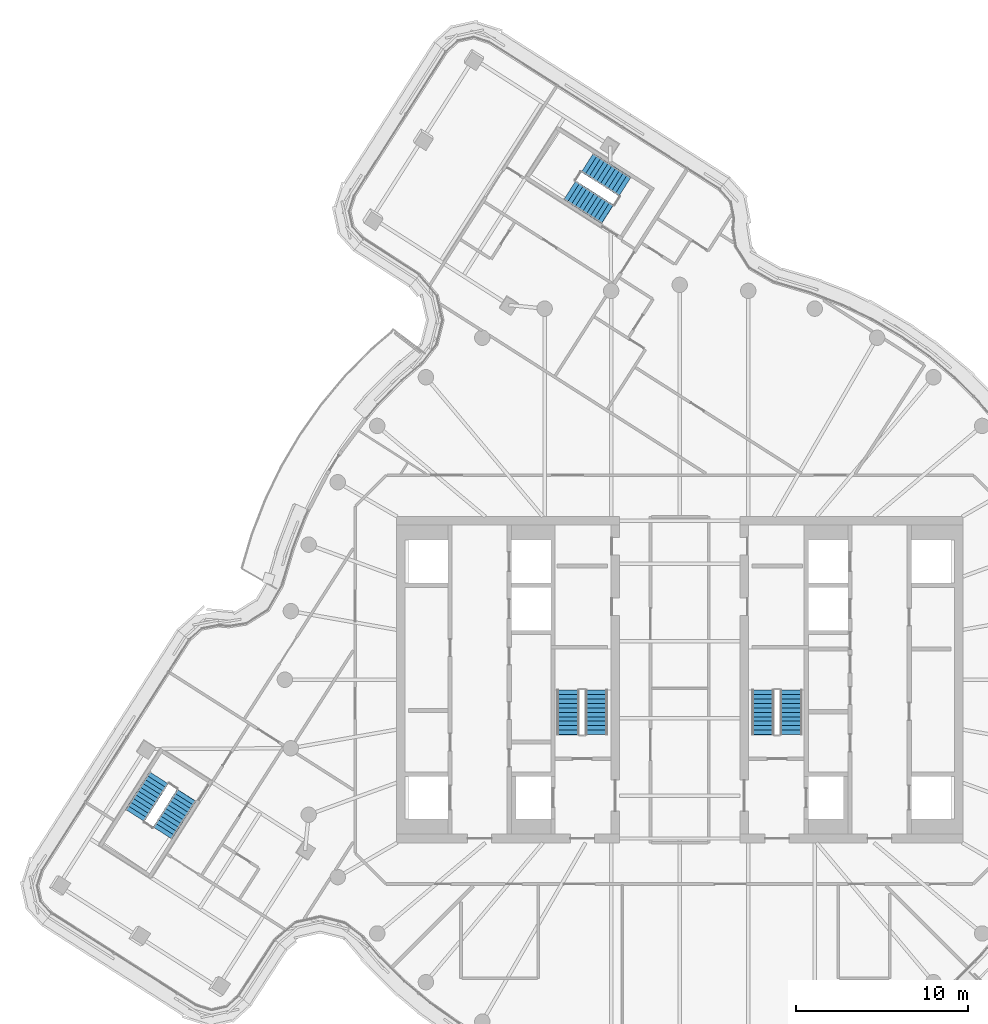
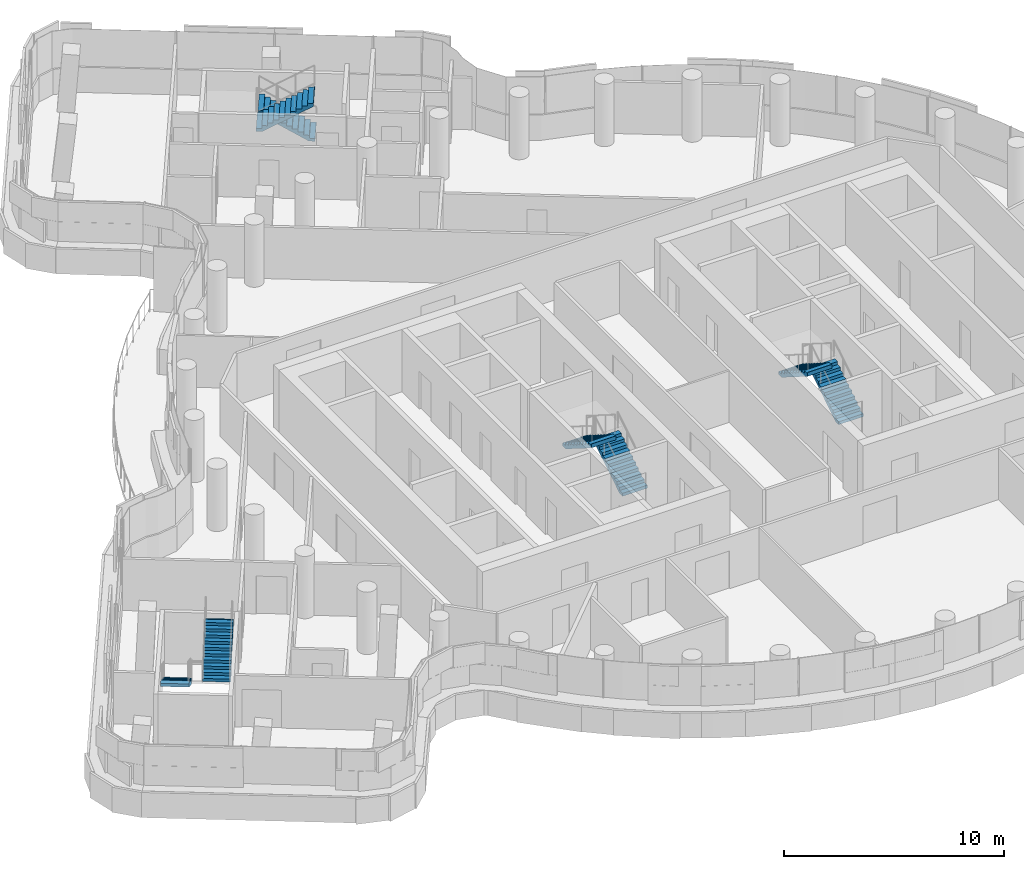
# One storey, part 21 of 27: 8 stair flights, 4 elements without a shape of their own.
"""IFC4 building model written with IfcOpenShell, lengths in metres."""

import ifcopenshell
import ifcopenshell.guid

model = None  # the IFC model being written
_history = None  # IfcOwnerHistory: only IFC2X3 demands one
_inside = {}  # id of a spatial element -> (the spatial element, [elements in it])
_under = {}  # id of a project, library or spatial element -> (it, [spatial elements below it])
_declared = {}  # id of a project -> (the project, [libraries it declares])
_typed = {}  # id of a type object -> (the type object, [elements of that type])
_made_of = {}  # id of a material, layer set ... -> (it, [elements and type objects made of it])


def new_model(schema):
    """Start an empty IFC model of exactly this schema.

    Asked for "IFC4X3", IfcOpenShell would pick the latest addendum, in which some entities
    have other attributes; the version numbers below select the first issue.
    IFC2X3 requires an IfcOwnerHistory on every rooted entity: one is made here for all.
    """
    global model, _history
    if schema == "IFC4X3":
        model = ifcopenshell.file(schema_version=(4, 3, 0, 0))
    else:
        model = ifcopenshell.file(schema=schema)
    _inside.clear()
    _under.clear()
    _declared.clear()
    _typed.clear()
    _made_of.clear()
    _history = None
    if model.schema == "IFC2X3":
        org = make("IfcOrganization", Name="unknown")
        user = make(
            "IfcPersonAndOrganization",
            ThePerson=make("IfcPerson", FamilyName="unknown"),
            TheOrganization=org,
        )
        app = make(
            "IfcApplication",
            ApplicationDeveloper=org,
            Version="unknown",
            ApplicationFullName="unknown",
            ApplicationIdentifier="unknown",
        )
        _history = make(
            "IfcOwnerHistory",
            OwningUser=user,
            OwningApplication=app,
            ChangeAction="ADDED",
            CreationDate=0,
        )
    return model


def make(cls, **values):
    """One entity of the class cls with the attributes given. An attribute that is None is left unset."""
    return model.create_entity(
        cls, **{name: value for name, value in values.items() if value is not None}
    )


def rooted(cls, **values):
    """An entity with a GlobalId (a new one), such as an element, a storey or a relation."""
    return make(cls, GlobalId=ifcopenshell.guid.new(), OwnerHistory=_history, **values)


def si_unit(unit_type, name, prefix=None):
    """IfcSIUnit, for example si_unit("LENGTHUNIT", "METRE", prefix="MILLI")."""
    return make("IfcSIUnit", UnitType=unit_type, Prefix=prefix, Name=name)


def assignment(units):
    """IfcUnitAssignment: the units of a project."""
    return None if units is None else make("IfcUnitAssignment", Units=units)


def point(xyz):
    """IfcCartesianPoint."""
    return None if xyz is None else make("IfcCartesianPoint", Coordinates=xyz)


def direction(xyz):
    """IfcDirection."""
    return None if xyz is None else make("IfcDirection", DirectionRatios=xyz)


def frame(location, z_axis=None, x_axis=None):
    """IfcAxis2Placement3D, a coordinate frame: its origin and axes. An axis left out is left unset."""
    return make(
        "IfcAxis2Placement3D",
        Location=point(location),
        Axis=direction(z_axis),
        RefDirection=direction(x_axis),
    )


def origin():
    """The frame at (0, 0, 0) with its axes left unset."""
    return frame((0.0, 0.0, 0.0))


def place(relative_to, where):
    """IfcLocalPlacement: puts the frame where relative to a parent placement (None: the world)."""
    return make(
        "IfcLocalPlacement", PlacementRelTo=relative_to, RelativePlacement=where
    )


def context(
    kind, dimensions, precision=None, world=None, true_north=None, identifier=None
):
    """IfcGeometricRepresentationContext, for example the 3D "Model" context."""
    return make(
        "IfcGeometricRepresentationContext",
        ContextIdentifier=identifier,
        ContextType=kind,
        CoordinateSpaceDimension=dimensions,
        Precision=precision,
        WorldCoordinateSystem=world,
        TrueNorth=true_north,
    )


def subcontext(parent, identifier, kind, view, scale=None):
    """IfcGeometricRepresentationSubContext, for example "Body" below "Model"."""
    return make(
        "IfcGeometricRepresentationSubContext",
        ContextIdentifier=identifier,
        ContextType=kind,
        ParentContext=parent,
        TargetScale=scale,
        TargetView=view,
    )


def project(units=None, contexts=None):
    """IfcProject with its units and contexts."""
    return rooted(
        "IfcProject",
        Name="project",
        RepresentationContexts=contexts,
        UnitsInContext=assignment(units),
    )


def spatial(cls, under=None, at=None, **own):
    """A site, building, storey or space (cls), placed at a placement, below another one or the project."""
    s = rooted(cls, ObjectPlacement=at, **own)
    if under is not None:
        _under.setdefault(under.id(), (under, []))[1].append(s)
    return s


def polyline(points):
    """IfcPolyline through the points."""
    return make("IfcPolyline", Points=[point(p) for p in points])


def outline(outer, holes=None, kind="AREA"):
    """IfcArbitraryClosedProfileDef: a profile drawn as a closed curve; with holes, ...WithVoids."""
    if holes is None:
        return make("IfcArbitraryClosedProfileDef", ProfileType=kind, OuterCurve=outer)
    return make(
        "IfcArbitraryProfileDefWithVoids",
        ProfileType=kind,
        OuterCurve=outer,
        InnerCurves=holes,
    )


def extrude(swept, where, along, depth):
    """IfcExtrudedAreaSolid: the profile swept, set in the frame where, extruded along a direction by depth."""
    return make(
        "IfcExtrudedAreaSolid",
        SweptArea=swept,
        Position=where,
        ExtrudedDirection=direction(along),
        Depth=depth,
    )


def shape(context_of_items, identifier, shape_type, items):
    """IfcShapeRepresentation: the items that make up one representation, for example the "Body"."""
    return make(
        "IfcShapeRepresentation",
        ContextOfItems=context_of_items,
        RepresentationIdentifier=identifier,
        RepresentationType=shape_type,
        Items=items,
    )


def material(Name=None, Category=None):
    """IfcMaterial."""
    return make("IfcMaterial", Name=Name, Category=Category)


def made_of(thing, what):
    """Note that an element or type object is made of a material, layer set ...; save() writes the relation."""
    if what is not None:
        _made_of.setdefault(what.id(), (what, []))[1].append(thing)
    return thing


def type_object(cls, material=None, **own):
    """A type object (cls), such as IfcWallType, which elements share."""
    return made_of(rooted(cls, **own), material)


def element(
    cls,
    number,
    at=None,
    inside=None,
    cuts=None,
    type_object=None,
    material=None,
    context=None,
    identifier="Body",
    shape_type=None,
    held_by="IfcProductDefinitionShape",
    body=None,
    shapes=None,
    **own,
):
    """One element of the class cls, such as IfcWall. Its Tag is "e" and its number.

    at: its placement. inside: the storey or other place that contains it. cuts: it is an
    opening in that element (IfcRelVoidsElement). A single representation is given by context,
    identifier, shape_type and body (its items); several are given by shapes. held_by: the class
    of the entity that holds the representations. save() writes the other relations.
    """
    e = rooted(cls, Tag="e%d" % number, ObjectPlacement=at, **own)
    if body is not None:
        shapes = [shape(context, identifier, shape_type, body)]
    if shapes is not None:
        e.Representation = make(held_by, Representations=shapes)
    if inside is not None:
        _inside.setdefault(inside.id(), (inside, []))[1].append(e)
    if cuts is not None:
        rooted(
            "IfcRelVoidsElement", RelatingBuildingElement=cuts, RelatedOpeningElement=e
        )
    if type_object is not None:
        _typed.setdefault(type_object.id(), (type_object, []))[1].append(e)
    return made_of(e, material)


def aggregate(whole, parts):
    """IfcRelAggregates: a whole, such as a stair, and the parts it consists of."""
    return rooted("IfcRelAggregates", RelatingObject=whole, RelatedObjects=parts)


def save(model, path):
    """Write the relations noted so far, then the file.

    IfcRelAggregates (storeys below a building ...), IfcRelContainedInSpatialStructure (elements
    in a storey), IfcRelDefinesByType, IfcRelAssociatesMaterial and IfcRelDeclares: one each for
    every whole, place, type object, material and project.
    """
    for whole, parts in _under.values():
        aggregate(whole, parts)
    for where, things in _inside.values():
        rooted(
            "IfcRelContainedInSpatialStructure",
            RelatedElements=things,
            RelatingStructure=where,
        )
    for kind, things in _typed.values():
        rooted("IfcRelDefinesByType", RelatedObjects=things, RelatingType=kind)
    for what, things in _made_of.values():
        rooted("IfcRelAssociatesMaterial", RelatedObjects=things, RelatingMaterial=what)
    for by, libraries in _declared.values():
        rooted("IfcRelDeclares", RelatingContext=by, RelatedDefinitions=libraries)
    model.write(path)


model = new_model("IFC4")

# Units and contexts
model_context = context("Model", 3, precision=1e-05, world=origin(), true_north=direction((0.0, 1.0)))
body_context = subcontext(model_context, "Body", "Model", "MODEL_VIEW")
ifc_project = project(units=[si_unit("LENGTHUNIT", "METRE"), si_unit("AREAUNIT", "SQUARE_METRE"), si_unit("VOLUMEUNIT", "CUBIC_METRE"), si_unit("PLANEANGLEUNIT", "RADIAN"), si_unit("MASSUNIT", "GRAM", prefix="KILO")], contexts=[model_context])

# Site, building, storey
site_placement = place(None, origin())
site = spatial("IfcSite", under=ifc_project, at=site_placement, CompositionType="ELEMENT")
building_placement = place(site_placement, origin())
building = spatial("IfcBuilding", under=site, at=building_placement, Name="Tamarind Cross Interchange Tower", CompositionType="ELEMENT")
storey_placement = place(building_placement, frame((0.0, 0.0, 241.5)))
storey = spatial("IfcBuildingStorey", under=building, at=storey_placement, Name="L61", CompositionType="ELEMENT", Elevation=241.5)

# Stair, stair flights
ifc_material_1 = material(Name="Exit stair")
stair_type = type_object("IfcStairType", Name="Exit stair", PredefinedType="HALF_TURN_STAIR", material=ifc_material_1)
stair_1_placement = place(storey_placement, origin())
stair_1 = element("IfcStair", 1, at=stair_1_placement, inside=storey, type_object=stair_type, Name="L61 exit stair ST1", PredefinedType="HALF_TURN_STAIR")
ifc_material_2 = material(Name="Exit stair flight")
stair_flight_type = type_object("IfcStairFlightType", Name="Exit stair flight", PredefinedType="STRAIGHT", material=ifc_material_2)
stair_flight_1_placement = place(storey_placement, frame((-4.85009765625, -3.199951171875, 0.0), z_axis=(0.0, 0.0, 1.0), x_axis=(0.0, 1.0, 0.0)))
stair_flight_1 = element("IfcStairFlight", 2, at=stair_flight_1_placement, type_object=stair_flight_type, Name="ST1 flight 1", NumberOfRisers=11, NumberOfTreads=10, PredefinedType="STRAIGHT", RiserHeight=0.163636364, TreadLength=0.26, context=body_context, shape_type="SweptSolid", body=[
    extrude(outline(polyline([(0.0, 0.0), (0.0, 0.16357421875), (0.260009765625, 0.16357421875), (0.260009765625, 0.327392578125), (0.52001953125, 0.327392578125), (0.52001953125, 0.490966796875), (0.780029296875, 0.490966796875), (0.780029296875, 0.654541015625), (1.0400390625, 0.654541015625), (1.0400390625, 0.818115234375), (1.300048828125, 0.818115234375), (1.300048828125, 0.98193359375), (1.56005859375, 0.98193359375), (1.56005859375, 1.1455078125), (1.820068359375, 1.1455078125), (1.820068359375, 1.30908203125), (2.080078125, 1.30908203125), (2.080078125, 1.47265625), (2.340087890625, 1.47265625), (2.340087890625, 1.636474609375), (2.60009765625, 1.636474609375), (2.60009765625, 1.800048828125), (2.60009765625, 1.459228515625), (0.281494140625, 0.0), (0.0, 0.0)])), frame((0.0, 0.64990234375, 0.0), z_axis=(0.0, -1.0, 0.0), x_axis=(1.0, 0.0, 0.0)), (0.0, 0.0, 1.0), 1.300048828125),
])
stair_flight_2_placement = place(storey_placement, frame((-6.5, -0.60009765625, 1.800048828125), z_axis=(0.0, 0.0, 1.0), x_axis=(0.0, -1.0, 0.0)))
stair_flight_2 = element("IfcStairFlight", 3, at=stair_flight_2_placement, type_object=stair_flight_type, Name="ST1 flight 2", NumberOfRisers=11, NumberOfTreads=10, PredefinedType="STRAIGHT", RiserHeight=0.163636364, TreadLength=0.26, context=body_context, shape_type="SweptSolid", body=[
    extrude(outline(polyline([(0.0, 0.0), (0.0, 0.16357421875), (0.260009765625, 0.16357421875), (0.260009765625, 0.327392578125), (0.52001953125, 0.327392578125), (0.52001953125, 0.490966796875), (0.780029296875, 0.490966796875), (0.780029296875, 0.654541015625), (1.0400390625, 0.654541015625), (1.0400390625, 0.818115234375), (1.300048828125, 0.818115234375), (1.300048828125, 0.98193359375), (1.56005859375, 0.98193359375), (1.56005859375, 1.1455078125), (1.820068359375, 1.1455078125), (1.820068359375, 1.30908203125), (2.080078125, 1.30908203125), (2.080078125, 1.47265625), (2.340087890625, 1.47265625), (2.340087890625, 1.636474609375), (2.60009765625, 1.636474609375), (2.60009765625, 1.679931640625), (2.612060546875, 1.679931640625), (2.612060546875, 1.466796875), (0.281494140625, 0.0), (0.0, 0.0)])), frame((0.0, 0.64990234375, 0.0), z_axis=(0.0, -1.0, 0.0), x_axis=(1.0, 0.0, 0.0)), (0.0, 0.0, 1.0), 1.300048828125),
])
aggregate(stair_1, [stair_flight_1, stair_flight_2])

stair_2_placement = place(storey_placement, origin())
stair_2 = element("IfcStair", 4, at=stair_2_placement, inside=storey, type_object=stair_type, Name="L61 exit stair ST2", PredefinedType="HALF_TURN_STAIR")
stair_flight_3_placement = place(storey_placement, frame((6.5, -3.199951171875, 0.0), z_axis=(0.0, 0.0, 1.0), x_axis=(0.0, 1.0, 0.0)))
stair_flight_3 = element("IfcStairFlight", 5, at=stair_flight_3_placement, type_object=stair_flight_type, Name="ST2 flight 1", NumberOfRisers=11, NumberOfTreads=10, PredefinedType="STRAIGHT", RiserHeight=0.163636364, TreadLength=0.26, context=body_context, shape_type="SweptSolid", body=[
    extrude(outline(polyline([(0.0, 0.0), (0.0, 0.16357421875), (0.260009765625, 0.16357421875), (0.260009765625, 0.327392578125), (0.52001953125, 0.327392578125), (0.52001953125, 0.490966796875), (0.780029296875, 0.490966796875), (0.780029296875, 0.654541015625), (1.0400390625, 0.654541015625), (1.0400390625, 0.818115234375), (1.300048828125, 0.818115234375), (1.300048828125, 0.98193359375), (1.56005859375, 0.98193359375), (1.56005859375, 1.1455078125), (1.820068359375, 1.1455078125), (1.820068359375, 1.30908203125), (2.080078125, 1.30908203125), (2.080078125, 1.47265625), (2.340087890625, 1.47265625), (2.340087890625, 1.636474609375), (2.60009765625, 1.636474609375), (2.60009765625, 1.800048828125), (2.60009765625, 1.459228515625), (0.281494140625, 0.0), (0.0, 0.0)])), frame((0.0, 0.64990234375, 0.0), z_axis=(0.0, -1.0, 0.0), x_axis=(1.0, 0.0, 0.0)), (0.0, 0.0, 1.0), 1.300048828125),
])
stair_flight_4_placement = place(storey_placement, frame((4.85009765625, -0.60009765625, 1.800048828125), z_axis=(0.0, 0.0, 1.0), x_axis=(0.0, -1.0, 0.0)))
stair_flight_4 = element("IfcStairFlight", 6, at=stair_flight_4_placement, type_object=stair_flight_type, Name="ST2 flight 2", NumberOfRisers=11, NumberOfTreads=10, PredefinedType="STRAIGHT", RiserHeight=0.163636364, TreadLength=0.26, context=body_context, shape_type="SweptSolid", body=[
    extrude(outline(polyline([(0.0, 0.0), (0.0, 0.16357421875), (0.260009765625, 0.16357421875), (0.260009765625, 0.327392578125), (0.52001953125, 0.327392578125), (0.52001953125, 0.490966796875), (0.780029296875, 0.490966796875), (0.780029296875, 0.654541015625), (1.0400390625, 0.654541015625), (1.0400390625, 0.818115234375), (1.300048828125, 0.818115234375), (1.300048828125, 0.98193359375), (1.56005859375, 0.98193359375), (1.56005859375, 1.1455078125), (1.820068359375, 1.1455078125), (1.820068359375, 1.30908203125), (2.080078125, 1.30908203125), (2.080078125, 1.47265625), (2.340087890625, 1.47265625), (2.340087890625, 1.636474609375), (2.60009765625, 1.636474609375), (2.60009765625, 1.679931640625), (2.612060546875, 1.679931640625), (2.612060546875, 1.466796875), (0.281494140625, 0.0), (0.0, 0.0)])), frame((0.0, 0.64990234375, 0.0), z_axis=(0.0, -1.0, 0.0), x_axis=(1.0, 0.0, 0.0)), (0.0, 0.0, 1.0), 1.300048828125),
])
aggregate(stair_2, [stair_flight_3, stair_flight_4])

stair_3_placement = place(storey_placement, origin())
stair_3 = element("IfcStair", 7, at=stair_3_placement, inside=storey, type_object=stair_type, Name="L61 exit stair ST4", PredefinedType="HALF_TURN_STAIR")
stair_flight_5_placement = place(storey_placement, frame((-3.186767578125, 28.718505859375, 0.0), z_axis=(0.0, 0.0, 1.0), x_axis=(-0.843053684056, 0.537829420727, 0.0)))
stair_flight_5 = element("IfcStairFlight", 8, at=stair_flight_5_placement, type_object=stair_flight_type, Name="ST4 flight 1", NumberOfRisers=11, NumberOfTreads=10, PredefinedType="STRAIGHT", RiserHeight=0.163636364, TreadLength=0.26, context=body_context, shape_type="SweptSolid", body=[
    extrude(outline(polyline([(0.0, 0.0), (0.0, 0.16357421875), (0.260009765625, 0.16357421875), (0.260009765625, 0.327392578125), (0.52001953125, 0.327392578125), (0.52001953125, 0.490966796875), (0.780029296875, 0.490966796875), (0.780029296875, 0.654541015625), (1.0400390625, 0.654541015625), (1.0400390625, 0.818115234375), (1.300048828125, 0.818115234375), (1.300048828125, 0.98193359375), (1.56005859375, 0.98193359375), (1.56005859375, 1.1455078125), (1.820068359375, 1.1455078125), (1.820068359375, 1.30908203125), (2.080078125, 1.30908203125), (2.080078125, 1.47265625), (2.340087890625, 1.47265625), (2.340087890625, 1.636474609375), (2.60009765625, 1.636474609375), (2.60009765625, 1.800048828125), (2.60009765625, 1.459228515625), (0.281494140625, 0.0), (0.0, 0.0)])), frame((0.0, 0.64990234375, 0.0), z_axis=(0.0, -1.0, 0.0), x_axis=(1.0, 0.0, 0.0)), (0.0, 0.0, 1.0), 1.300048828125),
])
stair_flight_6_placement = place(storey_placement, frame((-6.400634765625, 28.514892578125, 1.800048828125), z_axis=(0.0, 0.0, 1.0), x_axis=(0.843053684056, -0.537829420727, 0.0)))
stair_flight_6 = element("IfcStairFlight", 9, at=stair_flight_6_placement, type_object=stair_flight_type, Name="ST4 flight 2", NumberOfRisers=11, NumberOfTreads=10, PredefinedType="STRAIGHT", RiserHeight=0.163636364, TreadLength=0.26, context=body_context, shape_type="SweptSolid", body=[
    extrude(outline(polyline([(0.0, 0.0), (0.0, 0.16357421875), (0.260009765625, 0.16357421875), (0.260009765625, 0.327392578125), (0.52001953125, 0.327392578125), (0.52001953125, 0.490966796875), (0.780029296875, 0.490966796875), (0.780029296875, 0.654541015625), (1.0400390625, 0.654541015625), (1.0400390625, 0.818115234375), (1.300048828125, 0.818115234375), (1.300048828125, 0.98193359375), (1.56005859375, 0.98193359375), (1.56005859375, 1.1455078125), (1.820068359375, 1.1455078125), (1.820068359375, 1.30908203125), (2.080078125, 1.30908203125), (2.080078125, 1.47265625), (2.340087890625, 1.47265625), (2.340087890625, 1.636474609375), (2.60009765625, 1.636474609375), (2.60009765625, 1.679931640625), (2.612060546875, 1.679931640625), (2.612060546875, 1.466796875), (0.281494140625, 0.0), (0.0, 0.0)])), frame((0.0, 0.64990234375, 0.0), z_axis=(0.0, -1.0, 0.0), x_axis=(1.0, 0.0, 0.0)), (0.0, 0.0, 1.0), 1.300048828125),
])
aggregate(stair_3, [stair_flight_5, stair_flight_6])

stair_4_placement = place(storey_placement, origin())
stair_4 = element("IfcStair", 10, at=stair_4_placement, inside=storey, type_object=stair_type, Name="L61 exit stair ST5", PredefinedType="HALF_TURN_STAIR")
stair_flight_7_placement = place(storey_placement, frame((-30.331787109375, -5.716064453125, 0.0), z_axis=(0.0, 0.0, 1.0), x_axis=(-0.537829420727, -0.843053684056, 0.0)))
stair_flight_7 = element("IfcStairFlight", 11, at=stair_flight_7_placement, type_object=stair_flight_type, Name="ST5 flight 1", NumberOfRisers=11, NumberOfTreads=10, PredefinedType="STRAIGHT", RiserHeight=0.163636364, TreadLength=0.26, context=body_context, shape_type="SweptSolid", body=[
    extrude(outline(polyline([(0.0, 0.0), (0.0, 0.16357421875), (0.260009765625, 0.16357421875), (0.260009765625, 0.327392578125), (0.52001953125, 0.327392578125), (0.52001953125, 0.490966796875), (0.780029296875, 0.490966796875), (0.780029296875, 0.654541015625), (1.0400390625, 0.654541015625), (1.0400390625, 0.818115234375), (1.300048828125, 0.818115234375), (1.300048828125, 0.98193359375), (1.56005859375, 0.98193359375), (1.56005859375, 1.1455078125), (1.820068359375, 1.1455078125), (1.820068359375, 1.30908203125), (2.080078125, 1.30908203125), (2.080078125, 1.47265625), (2.340087890625, 1.47265625), (2.340087890625, 1.636474609375), (2.60009765625, 1.636474609375), (2.60009765625, 1.800048828125), (2.60009765625, 1.459228515625), (0.281494140625, 0.0), (0.0, 0.0)])), frame((0.0, 0.64990234375, 0.0), z_axis=(0.0, -1.0, 0.0), x_axis=(1.0, 0.0, 0.0)), (0.0, 0.0, 1.0), 1.300048828125),
])
stair_flight_8_placement = place(storey_placement, frame((-30.12841796875, -8.9296875, 1.800048828125), z_axis=(0.0, 0.0, 1.0), x_axis=(0.537829420727, 0.843053684056, 0.0)))
stair_flight_8 = element("IfcStairFlight", 12, at=stair_flight_8_placement, type_object=stair_flight_type, Name="ST5 flight 2", NumberOfRisers=11, NumberOfTreads=10, PredefinedType="STRAIGHT", RiserHeight=0.163636364, TreadLength=0.26, context=body_context, shape_type="SweptSolid", body=[
    extrude(outline(polyline([(0.0, 0.0), (0.0, 0.16357421875), (0.260009765625, 0.16357421875), (0.260009765625, 0.327392578125), (0.52001953125, 0.327392578125), (0.52001953125, 0.490966796875), (0.780029296875, 0.490966796875), (0.780029296875, 0.654541015625), (1.0400390625, 0.654541015625), (1.0400390625, 0.818115234375), (1.300048828125, 0.818115234375), (1.300048828125, 0.98193359375), (1.56005859375, 0.98193359375), (1.56005859375, 1.1455078125), (1.820068359375, 1.1455078125), (1.820068359375, 1.30908203125), (2.080078125, 1.30908203125), (2.080078125, 1.47265625), (2.340087890625, 1.47265625), (2.340087890625, 1.636474609375), (2.60009765625, 1.636474609375), (2.60009765625, 1.679931640625), (2.612060546875, 1.679931640625), (2.612060546875, 1.466796875), (0.281494140625, 0.0), (0.0, 0.0)])), frame((0.0, 0.64990234375, 0.0), z_axis=(0.0, -1.0, 0.0), x_axis=(1.0, 0.0, 0.0)), (0.0, 0.0, 1.0), 1.300048828125),
])
aggregate(stair_4, [stair_flight_7, stair_flight_8])

save(model, "model.ifc")
